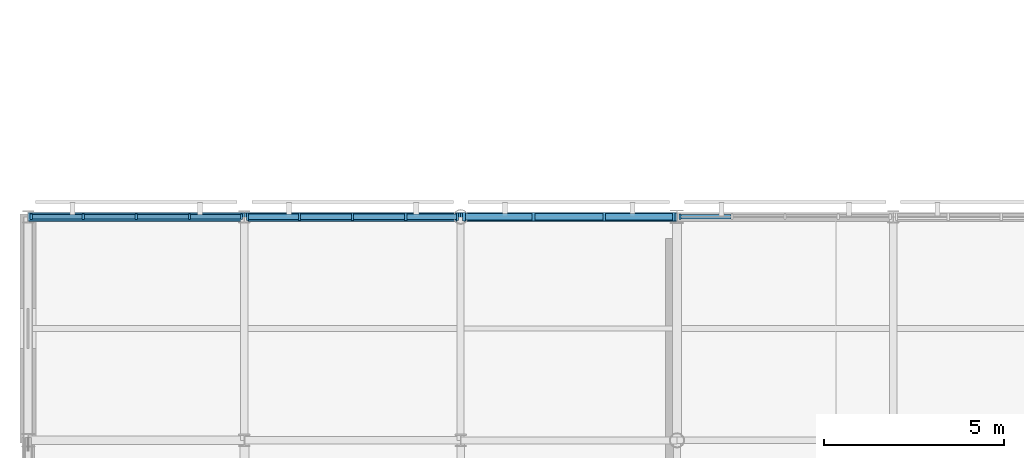
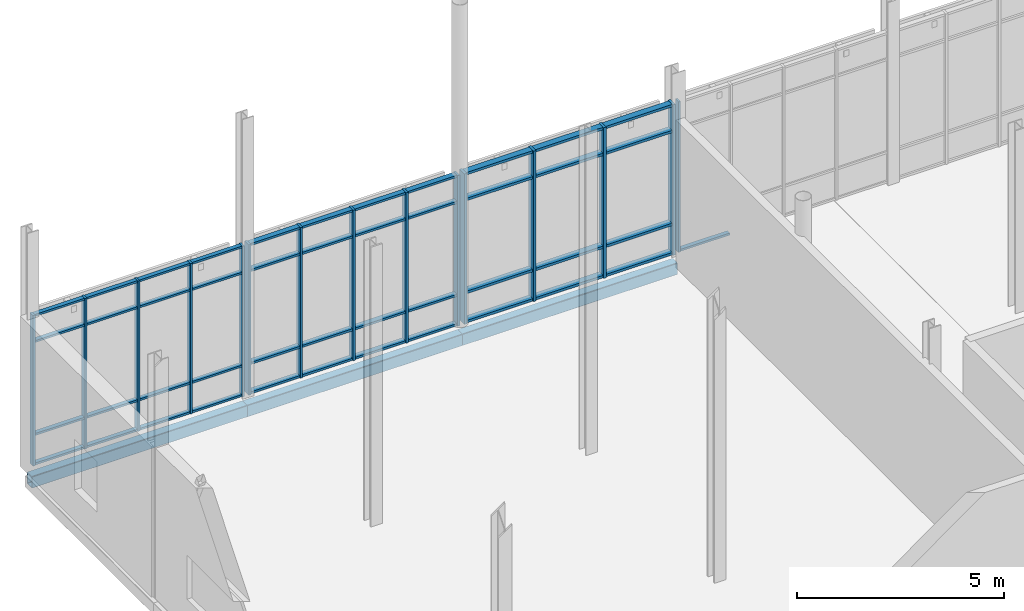
# One storey, part 34 of 105: 60 members, 3 beams, 4 elements without a shape of their own.
"""IFC4 building model written with IfcOpenShell, lengths in metres."""

from ifc_helpers import new_model, si_unit, direction, frame, origin, origin_2d, place, context, subcontext, project, spatial, rectangle, hollow_rectangle, extrude, material, layer, layer_set, material_profile, profile_set, type_object, element, aggregate, save


model = new_model("IFC4")

# Units and contexts
model_context = context("Model", 3, precision=1e-05, world=origin(), true_north=direction((0.0, 1.0)))
body_context = subcontext(model_context, "Body", "Model", "MODEL_VIEW")
ifc_project = project(units=[si_unit("LENGTHUNIT", "METRE"), si_unit("AREAUNIT", "SQUARE_METRE"), si_unit("VOLUMEUNIT", "CUBIC_METRE"), si_unit("PLANEANGLEUNIT", "RADIAN"), si_unit("MASSUNIT", "GRAM", prefix="KILO")], contexts=[model_context])

# Site, building, storey
site_placement = place(None, origin())
site = spatial("IfcSite", under=ifc_project, at=site_placement, CompositionType="ELEMENT")
building_placement = place(site_placement, origin())
building = spatial("IfcBuilding", under=site, at=building_placement, Name="Mirzam Square Science Centre", CompositionType="ELEMENT")
storey_placement = place(building_placement, frame((0.0, 0.0, 5.39990234375)))
storey = spatial("IfcBuildingStorey", under=building, at=storey_placement, Name="L01", CompositionType="ELEMENT", Elevation=5.39990234375)

# Curtain wall, members
ifc_material_1 = material(Name="Anodised Aluminium and Low-E Solar Glass", Category="aluminium")
ifc_layer_1 = layer(ifc_material_1, 0.159912109375)
ifc_layer_set_1 = layer_set([ifc_layer_1], Name="CW-COURT-B")
curtain_wall_type_1 = type_object("IfcCurtainWallType", Name="CW-COURT-B", PredefinedType="USERDEFINED", material=ifc_layer_set_1)
curtain_wall_1_placement = place(storey_placement, origin())
curtain_wall_1 = element("IfcCurtainWall", 1, at=curtain_wall_1_placement, inside=storey, type_object=curtain_wall_type_1, Name="L01 unitised curtain wall 9", ObjectType="UNITISED CURTAIN WALL", PredefinedType="USERDEFINED")
ifc_material_2 = material(Name="Anodised Architectural Aluminium 6063-T6", Category="aluminium")
ifc_material_profile_1 = material_profile(ifc_material_2, rectangle(XDim=0.06005859375, YDim=0.159912109375, at=origin_2d()), Name="ALU-MULL-160x60x4")
ifc_profile_set_1 = profile_set([ifc_material_profile_1], Name="Anodised Architectural Aluminium 6063-T6")
member_type_1 = type_object("IfcMemberType", Name="CWM-160", PredefinedType="MULLION", material=ifc_profile_set_1)
member_1_placement = place(storey_placement, frame((5.9150390625, 80.60009765625, 0.0), z_axis=(0.0, 0.0, 1.0), x_axis=(-1.0, 0.0, 0.0)))
member_1 = element("IfcMember", 2, at=member_1_placement, type_object=member_type_1, Name="CW-04 mullion 1", PredefinedType="MULLION", context=body_context, shape_type="SweptSolid", body=[
    extrude(rectangle(XDim=0.06005859375, YDim=0.159912109375, at=origin_2d()), origin(), (0.0, 0.0, 1.0), 4.440185546875),
])
member_2_placement = place(storey_placement, frame((4.472412109375, 80.60009765625, 0.0), z_axis=(0.0, 0.0, 1.0), x_axis=(-1.0, 0.0, 0.0)))
member_2 = element("IfcMember", 3, at=member_2_placement, type_object=member_type_1, Name="CW-04 mullion 2", PredefinedType="MULLION", context=body_context, shape_type="SweptSolid", body=[
    extrude(rectangle(XDim=0.06005859375, YDim=0.159912109375, at=origin_2d()), origin(), (0.0, 0.0, 1.0), 4.440185546875),
])
member_3_placement = place(storey_placement, frame((3.0, 80.60009765625, 0.0), z_axis=(0.0, 0.0, 1.0), x_axis=(-1.0, 0.0, 0.0)))
member_3 = element("IfcMember", 4, at=member_3_placement, type_object=member_type_1, Name="CW-04 mullion 3", PredefinedType="MULLION", context=body_context, shape_type="SweptSolid", body=[
    extrude(rectangle(XDim=0.06005859375, YDim=0.159912109375, at=origin_2d()), origin(), (0.0, 0.0, 1.0), 4.440185546875),
])
member_4_placement = place(storey_placement, frame((1.527587890625, 80.60009765625, 0.0), z_axis=(0.0, 0.0, 1.0), x_axis=(-1.0, 0.0, 0.0)))
member_4 = element("IfcMember", 5, at=member_4_placement, type_object=member_type_1, Name="CW-04 mullion 4", PredefinedType="MULLION", context=body_context, shape_type="SweptSolid", body=[
    extrude(rectangle(XDim=0.06005859375, YDim=0.159912109375, at=origin_2d()), origin(), (0.0, 0.0, 1.0), 4.440185546875),
])
member_5_placement = place(storey_placement, frame((0.0849609375, 80.60009765625, 0.0), z_axis=(0.0, 0.0, 1.0), x_axis=(-1.0, 0.0, 0.0)))
member_5 = element("IfcMember", 6, at=member_5_placement, type_object=member_type_1, Name="CW-04 mullion 5", PredefinedType="MULLION", context=body_context, shape_type="SweptSolid", body=[
    extrude(rectangle(XDim=0.06005859375, YDim=0.159912109375, at=origin_2d()), origin(), (0.0, 0.0, 1.0), 4.440185546875),
])

# Curtain wall, member
ifc_layer_2 = layer(ifc_material_1, 0.219970703125)
ifc_layer_set_2 = layer_set([ifc_layer_2], Name="CW-OBS-A")
curtain_wall_type_2 = type_object("IfcCurtainWallType", Name="CW-OBS-A", PredefinedType="USERDEFINED", material=ifc_layer_set_2)
curtain_wall_2_placement = place(storey_placement, origin())
curtain_wall_2 = element("IfcCurtainWall", 7, at=curtain_wall_2_placement, inside=storey, type_object=curtain_wall_type_2, Name="L01 unitised curtain wall 12", ObjectType="UNITISED CURTAIN WALL", PredefinedType="USERDEFINED")
member_6_placement = place(storey_placement, frame((18.0849609375, 80.60009765625, 0.0), z_axis=(0.0, 0.0, 1.0), x_axis=(-1.0, 0.0, 0.0)))
member_6 = element("IfcMember", 8, at=member_6_placement, type_object=member_type_1, Name="CW-07 mullion 5", PredefinedType="MULLION", context=body_context, shape_type="SweptSolid", body=[
    extrude(rectangle(XDim=0.06005859375, YDim=0.159912109375, at=origin_2d()), origin(), (0.0, 0.0, 1.0), 4.440185546875),
])

# Curtain wall, members
ifc_layer_3 = layer(ifc_material_1, 0.199951171875)
ifc_layer_set_3 = layer_set([ifc_layer_3], Name="CW-EAST-A")
curtain_wall_type_3 = type_object("IfcCurtainWallType", Name="CW-EAST-A", PredefinedType="USERDEFINED", material=ifc_layer_set_3)
curtain_wall_3_placement = place(storey_placement, origin())
curtain_wall_3 = element("IfcCurtainWall", 9, at=curtain_wall_3_placement, inside=storey, type_object=curtain_wall_type_3, Name="L01 unitised curtain wall 10", ObjectType="UNITISED CURTAIN WALL", PredefinedType="USERDEFINED")
ifc_material_profile_2 = material_profile(ifc_material_2, rectangle(XDim=0.06494140625, YDim=0.199951171875, at=origin_2d()), Name="ALU-MULL-200x65x5")
ifc_profile_set_2 = profile_set([ifc_material_profile_2], Name="Anodised Architectural Aluminium 6063-T6")
member_type_2 = type_object("IfcMemberType", Name="CWM-200", PredefinedType="MULLION", material=ifc_profile_set_2)
member_7_placement = place(storey_placement, frame((11.91259765625, 80.60009765625, 0.0), z_axis=(0.0, 0.0, 1.0), x_axis=(-1.0, 0.0, 0.0)))
member_7 = element("IfcMember", 10, at=member_7_placement, type_object=member_type_2, Name="CW-05 mullion 1", PredefinedType="MULLION", context=body_context, shape_type="SweptSolid", body=[
    extrude(rectangle(XDim=0.06494140625, YDim=0.199951171875, at=origin_2d()), origin(), (0.0, 0.0, 1.0), 4.440185546875),
])
member_8_placement = place(storey_placement, frame((10.472412109375, 80.60009765625, 0.0), z_axis=(0.0, 0.0, 1.0), x_axis=(-1.0, 0.0, 0.0)))
member_8 = element("IfcMember", 11, at=member_8_placement, type_object=member_type_2, Name="CW-05 mullion 2", PredefinedType="MULLION", context=body_context, shape_type="SweptSolid", body=[
    extrude(rectangle(XDim=0.06494140625, YDim=0.199951171875, at=origin_2d()), origin(), (0.0, 0.0, 1.0), 4.440185546875),
])
member_9_placement = place(storey_placement, frame((9.0, 80.60009765625, 0.0), z_axis=(0.0, 0.0, 1.0), x_axis=(-1.0, 0.0, 0.0)))
member_9 = element("IfcMember", 12, at=member_9_placement, type_object=member_type_2, Name="CW-05 mullion 3", PredefinedType="MULLION", context=body_context, shape_type="SweptSolid", body=[
    extrude(rectangle(XDim=0.06494140625, YDim=0.199951171875, at=origin_2d()), origin(), (0.0, 0.0, 1.0), 4.440185546875),
])
member_10_placement = place(storey_placement, frame((7.527587890625, 80.60009765625, 0.0), z_axis=(0.0, 0.0, 1.0), x_axis=(-1.0, 0.0, 0.0)))
member_10 = element("IfcMember", 13, at=member_10_placement, type_object=member_type_2, Name="CW-05 mullion 4", PredefinedType="MULLION", context=body_context, shape_type="SweptSolid", body=[
    extrude(rectangle(XDim=0.06494140625, YDim=0.199951171875, at=origin_2d()), origin(), (0.0, 0.0, 1.0), 4.440185546875),
])
member_11_placement = place(storey_placement, frame((6.08740234375, 80.60009765625, 0.0), z_axis=(0.0, 0.0, 1.0), x_axis=(-1.0, 0.0, 0.0)))
member_11 = element("IfcMember", 14, at=member_11_placement, type_object=member_type_2, Name="CW-05 mullion 5", PredefinedType="MULLION", context=body_context, shape_type="SweptSolid", body=[
    extrude(rectangle(XDim=0.06494140625, YDim=0.199951171875, at=origin_2d()), origin(), (0.0, 0.0, 1.0), 4.440185546875),
])

ifc_layer_4 = layer(ifc_material_1, 0.239990234375)
ifc_layer_set_4 = layer_set([ifc_layer_4], Name="CW-EAST-B")
curtain_wall_type_4 = type_object("IfcCurtainWallType", Name="CW-EAST-B", PredefinedType="USERDEFINED", material=ifc_layer_set_4)
curtain_wall_4_placement = place(storey_placement, origin())
curtain_wall_4 = element("IfcCurtainWall", 15, at=curtain_wall_4_placement, inside=storey, type_object=curtain_wall_type_4, Name="L01 unitised curtain wall 11", ObjectType="UNITISED CURTAIN WALL", PredefinedType="USERDEFINED")
ifc_material_profile_3 = material_profile(ifc_material_2, rectangle(XDim=0.074951171875, YDim=0.239990234375, at=origin_2d()), Name="ALU-MULL-240x75x5")
ifc_profile_set_3 = profile_set([ifc_material_profile_3], Name="Anodised Architectural Aluminium 6063-T6")
member_type_3 = type_object("IfcMemberType", Name="CWM-240", PredefinedType="MULLION", material=ifc_profile_set_3)
member_12_placement = place(storey_placement, frame((17.907470703125, 80.60009765625, 0.0), z_axis=(0.0, 0.0, 1.0), x_axis=(-1.0, 0.0, 0.0)))
member_12 = element("IfcMember", 16, at=member_12_placement, type_object=member_type_3, Name="CW-06 mullion 1", PredefinedType="MULLION", context=body_context, shape_type="SweptSolid", body=[
    extrude(rectangle(XDim=0.074951171875, YDim=0.239990234375, at=origin_2d()), origin(), (0.0, 0.0, 1.0), 4.440185546875),
])
member_13_placement = place(storey_placement, frame((15.981689453125, 80.60009765625, 0.0), z_axis=(0.0, 0.0, 1.0), x_axis=(-1.0, 0.0, 0.0)))
member_13 = element("IfcMember", 17, at=member_13_placement, type_object=member_type_3, Name="CW-06 mullion 2", PredefinedType="MULLION", context=body_context, shape_type="SweptSolid", body=[
    extrude(rectangle(XDim=0.074951171875, YDim=0.239990234375, at=origin_2d()), origin(), (0.0, 0.0, 1.0), 4.440185546875),
])
member_14_placement = place(storey_placement, frame((14.018310546875, 80.60009765625, 0.0), z_axis=(0.0, 0.0, 1.0), x_axis=(-1.0, 0.0, 0.0)))
member_14 = element("IfcMember", 18, at=member_14_placement, type_object=member_type_3, Name="CW-06 mullion 3", PredefinedType="MULLION", context=body_context, shape_type="SweptSolid", body=[
    extrude(rectangle(XDim=0.074951171875, YDim=0.239990234375, at=origin_2d()), origin(), (0.0, 0.0, 1.0), 4.440185546875),
])
member_15_placement = place(storey_placement, frame((12.092529296875, 80.60009765625, 0.0), z_axis=(0.0, 0.0, 1.0), x_axis=(-1.0, 0.0, 0.0)))
member_15 = element("IfcMember", 19, at=member_15_placement, type_object=member_type_3, Name="CW-06 mullion 4", PredefinedType="MULLION", context=body_context, shape_type="SweptSolid", body=[
    extrude(rectangle(XDim=0.074951171875, YDim=0.239990234375, at=origin_2d()), origin(), (0.0, 0.0, 1.0), 4.440185546875),
])

# Member
ifc_material_profile_4 = material_profile(ifc_material_2, rectangle(XDim=0.1201171875, YDim=0.06005859375, at=origin_2d()), Name="ALU-TRAN-120x60x4")
ifc_profile_set_4 = profile_set([ifc_material_profile_4], Name="Anodised Architectural Aluminium 6063-T6")
member_type_4 = type_object("IfcMemberType", Name="CWT-120", PredefinedType="USERDEFINED", material=ifc_profile_set_4)
member_16_placement = place(storey_placement, frame((5.885009765625, 80.60009765625, 0.030029296875), z_axis=(-1.0, 0.0, 0.0), x_axis=(0.0, -1.0, 0.0)))
member_16 = element("IfcMember", 20, at=member_16_placement, type_object=member_type_4, Name="CW-04 transom 1.1", ObjectType="TRANSOM", PredefinedType="USERDEFINED", context=body_context, shape_type="SweptSolid", body=[
    extrude(rectangle(XDim=0.1201171875, YDim=0.06005859375, at=origin_2d()), origin(), (0.0, 0.0, 1.0), 1.382568359375),
])

member_17_placement = place(storey_placement, frame((5.885009765625, 80.60009765625, 0.900146484375), z_axis=(-1.0, 0.0, 0.0), x_axis=(0.0, -1.0, 0.0)))
member_17 = element("IfcMember", 21, at=member_17_placement, type_object=member_type_4, Name="CW-04 transom 1.2", ObjectType="TRANSOM", PredefinedType="USERDEFINED", context=body_context, shape_type="SweptSolid", body=[
    extrude(rectangle(XDim=0.1201171875, YDim=0.06005859375, at=origin_2d()), origin(), (0.0, 0.0, 1.0), 1.382568359375),
])

member_18_placement = place(storey_placement, frame((5.885009765625, 80.60009765625, 3.64013671875), z_axis=(-1.0, 0.0, 0.0), x_axis=(0.0, -1.0, 0.0)))
member_18 = element("IfcMember", 22, at=member_18_placement, type_object=member_type_4, Name="CW-04 transom 1.3", ObjectType="TRANSOM", PredefinedType="USERDEFINED", context=body_context, shape_type="SweptSolid", body=[
    extrude(rectangle(XDim=0.1201171875, YDim=0.06005859375, at=origin_2d()), origin(), (0.0, 0.0, 1.0), 1.382568359375),
])

member_19_placement = place(storey_placement, frame((5.885009765625, 80.60009765625, 4.41015625), z_axis=(-1.0, 0.0, 0.0), x_axis=(0.0, -1.0, 0.0)))
member_19 = element("IfcMember", 23, at=member_19_placement, type_object=member_type_4, Name="CW-04 transom 1.4", ObjectType="TRANSOM", PredefinedType="USERDEFINED", context=body_context, shape_type="SweptSolid", body=[
    extrude(rectangle(XDim=0.1201171875, YDim=0.06005859375, at=origin_2d()), origin(), (0.0, 0.0, 1.0), 1.382568359375),
])

member_20_placement = place(storey_placement, frame((4.4423828125, 80.60009765625, 0.030029296875), z_axis=(-1.0, 0.0, 0.0), x_axis=(0.0, -1.0, 0.0)))
member_20 = element("IfcMember", 24, at=member_20_placement, type_object=member_type_4, Name="CW-04 transom 2.1", ObjectType="TRANSOM", PredefinedType="USERDEFINED", context=body_context, shape_type="SweptSolid", body=[
    extrude(rectangle(XDim=0.1201171875, YDim=0.06005859375, at=origin_2d()), origin(), (0.0, 0.0, 1.0), 1.412353515625),
])

member_21_placement = place(storey_placement, frame((4.4423828125, 80.60009765625, 0.900146484375), z_axis=(-1.0, 0.0, 0.0), x_axis=(0.0, -1.0, 0.0)))
member_21 = element("IfcMember", 25, at=member_21_placement, type_object=member_type_4, Name="CW-04 transom 2.2", ObjectType="TRANSOM", PredefinedType="USERDEFINED", context=body_context, shape_type="SweptSolid", body=[
    extrude(rectangle(XDim=0.1201171875, YDim=0.06005859375, at=origin_2d()), origin(), (0.0, 0.0, 1.0), 1.412353515625),
])

member_22_placement = place(storey_placement, frame((4.4423828125, 80.60009765625, 3.64013671875), z_axis=(-1.0, 0.0, 0.0), x_axis=(0.0, -1.0, 0.0)))
member_22 = element("IfcMember", 26, at=member_22_placement, type_object=member_type_4, Name="CW-04 transom 2.3", ObjectType="TRANSOM", PredefinedType="USERDEFINED", context=body_context, shape_type="SweptSolid", body=[
    extrude(rectangle(XDim=0.1201171875, YDim=0.06005859375, at=origin_2d()), origin(), (0.0, 0.0, 1.0), 1.412353515625),
])

member_23_placement = place(storey_placement, frame((4.4423828125, 80.60009765625, 4.41015625), z_axis=(-1.0, 0.0, 0.0), x_axis=(0.0, -1.0, 0.0)))
member_23 = element("IfcMember", 27, at=member_23_placement, type_object=member_type_4, Name="CW-04 transom 2.4", ObjectType="TRANSOM", PredefinedType="USERDEFINED", context=body_context, shape_type="SweptSolid", body=[
    extrude(rectangle(XDim=0.1201171875, YDim=0.06005859375, at=origin_2d()), origin(), (0.0, 0.0, 1.0), 1.412353515625),
])

member_24_placement = place(storey_placement, frame((2.969970703125, 80.60009765625, 0.030029296875), z_axis=(-1.0, 0.0, 0.0), x_axis=(0.0, -1.0, 0.0)))
member_24 = element("IfcMember", 28, at=member_24_placement, type_object=member_type_4, Name="CW-04 transom 3.1", ObjectType="TRANSOM", PredefinedType="USERDEFINED", context=body_context, shape_type="SweptSolid", body=[
    extrude(rectangle(XDim=0.1201171875, YDim=0.06005859375, at=origin_2d()), origin(), (0.0, 0.0, 1.0), 1.412353515625),
])

member_25_placement = place(storey_placement, frame((2.969970703125, 80.60009765625, 0.900146484375), z_axis=(-1.0, 0.0, 0.0), x_axis=(0.0, -1.0, 0.0)))
member_25 = element("IfcMember", 29, at=member_25_placement, type_object=member_type_4, Name="CW-04 transom 3.2", ObjectType="TRANSOM", PredefinedType="USERDEFINED", context=body_context, shape_type="SweptSolid", body=[
    extrude(rectangle(XDim=0.1201171875, YDim=0.06005859375, at=origin_2d()), origin(), (0.0, 0.0, 1.0), 1.412353515625),
])

member_26_placement = place(storey_placement, frame((2.969970703125, 80.60009765625, 3.64013671875), z_axis=(-1.0, 0.0, 0.0), x_axis=(0.0, -1.0, 0.0)))
member_26 = element("IfcMember", 30, at=member_26_placement, type_object=member_type_4, Name="CW-04 transom 3.3", ObjectType="TRANSOM", PredefinedType="USERDEFINED", context=body_context, shape_type="SweptSolid", body=[
    extrude(rectangle(XDim=0.1201171875, YDim=0.06005859375, at=origin_2d()), origin(), (0.0, 0.0, 1.0), 1.412353515625),
])

member_27_placement = place(storey_placement, frame((2.969970703125, 80.60009765625, 4.41015625), z_axis=(-1.0, 0.0, 0.0), x_axis=(0.0, -1.0, 0.0)))
member_27 = element("IfcMember", 31, at=member_27_placement, type_object=member_type_4, Name="CW-04 transom 3.4", ObjectType="TRANSOM", PredefinedType="USERDEFINED", context=body_context, shape_type="SweptSolid", body=[
    extrude(rectangle(XDim=0.1201171875, YDim=0.06005859375, at=origin_2d()), origin(), (0.0, 0.0, 1.0), 1.412353515625),
])

member_28_placement = place(storey_placement, frame((1.49755859375, 80.60009765625, 0.030029296875), z_axis=(-1.0, 0.0, 0.0), x_axis=(0.0, -1.0, 0.0)))
member_28 = element("IfcMember", 32, at=member_28_placement, type_object=member_type_4, Name="CW-04 transom 4.1", ObjectType="TRANSOM", PredefinedType="USERDEFINED", context=body_context, shape_type="SweptSolid", body=[
    extrude(rectangle(XDim=0.1201171875, YDim=0.06005859375, at=origin_2d()), origin(), (0.0, 0.0, 1.0), 1.382568359375),
])

member_29_placement = place(storey_placement, frame((1.49755859375, 80.60009765625, 0.900146484375), z_axis=(-1.0, 0.0, 0.0), x_axis=(0.0, -1.0, 0.0)))
member_29 = element("IfcMember", 33, at=member_29_placement, type_object=member_type_4, Name="CW-04 transom 4.2", ObjectType="TRANSOM", PredefinedType="USERDEFINED", context=body_context, shape_type="SweptSolid", body=[
    extrude(rectangle(XDim=0.1201171875, YDim=0.06005859375, at=origin_2d()), origin(), (0.0, 0.0, 1.0), 1.382568359375),
])

member_30_placement = place(storey_placement, frame((1.49755859375, 80.60009765625, 3.64013671875), z_axis=(-1.0, 0.0, 0.0), x_axis=(0.0, -1.0, 0.0)))
member_30 = element("IfcMember", 34, at=member_30_placement, type_object=member_type_4, Name="CW-04 transom 4.3", ObjectType="TRANSOM", PredefinedType="USERDEFINED", context=body_context, shape_type="SweptSolid", body=[
    extrude(rectangle(XDim=0.1201171875, YDim=0.06005859375, at=origin_2d()), origin(), (0.0, 0.0, 1.0), 1.382568359375),
])

member_31_placement = place(storey_placement, frame((1.49755859375, 80.60009765625, 4.41015625), z_axis=(-1.0, 0.0, 0.0), x_axis=(0.0, -1.0, 0.0)))
member_31 = element("IfcMember", 35, at=member_31_placement, type_object=member_type_4, Name="CW-04 transom 4.4", ObjectType="TRANSOM", PredefinedType="USERDEFINED", context=body_context, shape_type="SweptSolid", body=[
    extrude(rectangle(XDim=0.1201171875, YDim=0.06005859375, at=origin_2d()), origin(), (0.0, 0.0, 1.0), 1.382568359375),
])

aggregate(curtain_wall_1, [member_1, member_2, member_3, member_4, member_5, member_16, member_17, member_18, member_19, member_20, member_21, member_22, member_23, member_24, member_25, member_26, member_27, member_28, member_29, member_30, member_31])

member_32_placement = place(storey_placement, frame((19.49755859375, 80.60009765625, 0.030029296875), z_axis=(-1.0, 0.0, 0.0), x_axis=(0.0, -1.0, 0.0)))
member_32 = element("IfcMember", 36, at=member_32_placement, type_object=member_type_4, Name="CW-07 transom 4.1", ObjectType="TRANSOM", PredefinedType="USERDEFINED", context=body_context, shape_type="SweptSolid", body=[
    extrude(rectangle(XDim=0.1201171875, YDim=0.06005859375, at=origin_2d()), origin(), (0.0, 0.0, 1.0), 1.382568359375),
])

aggregate(curtain_wall_2, [member_6, member_32])

ifc_material_profile_5 = material_profile(ifc_material_2, rectangle(XDim=0.14990234375, YDim=0.06494140625, at=origin_2d()), Name="ALU-TRAN-150x65x4")
ifc_profile_set_5 = profile_set([ifc_material_profile_5], Name="Anodised Architectural Aluminium 6063-T6")
member_type_5 = type_object("IfcMemberType", Name="CWT-150", PredefinedType="USERDEFINED", material=ifc_profile_set_5)
member_33_placement = place(storey_placement, frame((11.8798828125, 80.60009765625, 0.03271484375), z_axis=(-1.0, 0.0, 0.0), x_axis=(0.0, -1.0, 0.0)))
member_33 = element("IfcMember", 37, at=member_33_placement, type_object=member_type_5, Name="CW-05 transom 1.1", ObjectType="TRANSOM", PredefinedType="USERDEFINED", context=body_context, shape_type="SweptSolid", body=[
    extrude(rectangle(XDim=0.14990234375, YDim=0.06494140625, at=origin_2d()), origin(), (0.0, 0.0, 1.0), 1.375),
])

member_34_placement = place(storey_placement, frame((11.8798828125, 80.60009765625, 0.900146484375), z_axis=(-1.0, 0.0, 0.0), x_axis=(0.0, -1.0, 0.0)))
member_34 = element("IfcMember", 38, at=member_34_placement, type_object=member_type_5, Name="CW-05 transom 1.2", ObjectType="TRANSOM", PredefinedType="USERDEFINED", context=body_context, shape_type="SweptSolid", body=[
    extrude(rectangle(XDim=0.14990234375, YDim=0.06494140625, at=origin_2d()), origin(), (0.0, 0.0, 1.0), 1.375),
])

member_35_placement = place(storey_placement, frame((11.8798828125, 80.60009765625, 3.64013671875), z_axis=(-1.0, 0.0, 0.0), x_axis=(0.0, -1.0, 0.0)))
member_35 = element("IfcMember", 39, at=member_35_placement, type_object=member_type_5, Name="CW-05 transom 1.3", ObjectType="TRANSOM", PredefinedType="USERDEFINED", context=body_context, shape_type="SweptSolid", body=[
    extrude(rectangle(XDim=0.14990234375, YDim=0.06494140625, at=origin_2d()), origin(), (0.0, 0.0, 1.0), 1.375),
])

member_36_placement = place(storey_placement, frame((11.8798828125, 80.60009765625, 4.40771484375), z_axis=(-1.0, 0.0, 0.0), x_axis=(0.0, -1.0, 0.0)))
member_36 = element("IfcMember", 40, at=member_36_placement, type_object=member_type_5, Name="CW-05 transom 1.4", ObjectType="TRANSOM", PredefinedType="USERDEFINED", context=body_context, shape_type="SweptSolid", body=[
    extrude(rectangle(XDim=0.14990234375, YDim=0.06494140625, at=origin_2d()), origin(), (0.0, 0.0, 1.0), 1.375),
])

member_37_placement = place(storey_placement, frame((10.43994140625, 80.60009765625, 0.03271484375), z_axis=(-1.0, 0.0, 0.0), x_axis=(0.0, -1.0, 0.0)))
member_37 = element("IfcMember", 41, at=member_37_placement, type_object=member_type_5, Name="CW-05 transom 2.1", ObjectType="TRANSOM", PredefinedType="USERDEFINED", context=body_context, shape_type="SweptSolid", body=[
    extrude(rectangle(XDim=0.14990234375, YDim=0.06494140625, at=origin_2d()), origin(), (0.0, 0.0, 1.0), 1.407470703125),
])

member_38_placement = place(storey_placement, frame((10.43994140625, 80.60009765625, 0.900146484375), z_axis=(-1.0, 0.0, 0.0), x_axis=(0.0, -1.0, 0.0)))
member_38 = element("IfcMember", 42, at=member_38_placement, type_object=member_type_5, Name="CW-05 transom 2.2", ObjectType="TRANSOM", PredefinedType="USERDEFINED", context=body_context, shape_type="SweptSolid", body=[
    extrude(rectangle(XDim=0.14990234375, YDim=0.06494140625, at=origin_2d()), origin(), (0.0, 0.0, 1.0), 1.407470703125),
])

member_39_placement = place(storey_placement, frame((10.43994140625, 80.60009765625, 3.64013671875), z_axis=(-1.0, 0.0, 0.0), x_axis=(0.0, -1.0, 0.0)))
member_39 = element("IfcMember", 43, at=member_39_placement, type_object=member_type_5, Name="CW-05 transom 2.3", ObjectType="TRANSOM", PredefinedType="USERDEFINED", context=body_context, shape_type="SweptSolid", body=[
    extrude(rectangle(XDim=0.14990234375, YDim=0.06494140625, at=origin_2d()), origin(), (0.0, 0.0, 1.0), 1.407470703125),
])

member_40_placement = place(storey_placement, frame((10.43994140625, 80.60009765625, 4.40771484375), z_axis=(-1.0, 0.0, 0.0), x_axis=(0.0, -1.0, 0.0)))
member_40 = element("IfcMember", 44, at=member_40_placement, type_object=member_type_5, Name="CW-05 transom 2.4", ObjectType="TRANSOM", PredefinedType="USERDEFINED", context=body_context, shape_type="SweptSolid", body=[
    extrude(rectangle(XDim=0.14990234375, YDim=0.06494140625, at=origin_2d()), origin(), (0.0, 0.0, 1.0), 1.407470703125),
])

member_41_placement = place(storey_placement, frame((8.967529296875, 80.60009765625, 0.03271484375), z_axis=(-1.0, 0.0, 0.0), x_axis=(0.0, -1.0, 0.0)))
member_41 = element("IfcMember", 45, at=member_41_placement, type_object=member_type_5, Name="CW-05 transom 3.1", ObjectType="TRANSOM", PredefinedType="USERDEFINED", context=body_context, shape_type="SweptSolid", body=[
    extrude(rectangle(XDim=0.14990234375, YDim=0.06494140625, at=origin_2d()), origin(), (0.0, 0.0, 1.0), 1.407470703125),
])

member_42_placement = place(storey_placement, frame((8.967529296875, 80.60009765625, 0.900146484375), z_axis=(-1.0, 0.0, 0.0), x_axis=(0.0, -1.0, 0.0)))
member_42 = element("IfcMember", 46, at=member_42_placement, type_object=member_type_5, Name="CW-05 transom 3.2", ObjectType="TRANSOM", PredefinedType="USERDEFINED", context=body_context, shape_type="SweptSolid", body=[
    extrude(rectangle(XDim=0.14990234375, YDim=0.06494140625, at=origin_2d()), origin(), (0.0, 0.0, 1.0), 1.407470703125),
])

member_43_placement = place(storey_placement, frame((8.967529296875, 80.60009765625, 3.64013671875), z_axis=(-1.0, 0.0, 0.0), x_axis=(0.0, -1.0, 0.0)))
member_43 = element("IfcMember", 47, at=member_43_placement, type_object=member_type_5, Name="CW-05 transom 3.3", ObjectType="TRANSOM", PredefinedType="USERDEFINED", context=body_context, shape_type="SweptSolid", body=[
    extrude(rectangle(XDim=0.14990234375, YDim=0.06494140625, at=origin_2d()), origin(), (0.0, 0.0, 1.0), 1.407470703125),
])

member_44_placement = place(storey_placement, frame((8.967529296875, 80.60009765625, 4.40771484375), z_axis=(-1.0, 0.0, 0.0), x_axis=(0.0, -1.0, 0.0)))
member_44 = element("IfcMember", 48, at=member_44_placement, type_object=member_type_5, Name="CW-05 transom 3.4", ObjectType="TRANSOM", PredefinedType="USERDEFINED", context=body_context, shape_type="SweptSolid", body=[
    extrude(rectangle(XDim=0.14990234375, YDim=0.06494140625, at=origin_2d()), origin(), (0.0, 0.0, 1.0), 1.407470703125),
])

member_45_placement = place(storey_placement, frame((7.4951171875, 80.60009765625, 0.03271484375), z_axis=(-1.0, 0.0, 0.0), x_axis=(0.0, -1.0, 0.0)))
member_45 = element("IfcMember", 49, at=member_45_placement, type_object=member_type_5, Name="CW-05 transom 4.1", ObjectType="TRANSOM", PredefinedType="USERDEFINED", context=body_context, shape_type="SweptSolid", body=[
    extrude(rectangle(XDim=0.14990234375, YDim=0.06494140625, at=origin_2d()), origin(), (0.0, 0.0, 1.0), 1.375),
])

member_46_placement = place(storey_placement, frame((7.4951171875, 80.60009765625, 0.900146484375), z_axis=(-1.0, 0.0, 0.0), x_axis=(0.0, -1.0, 0.0)))
member_46 = element("IfcMember", 50, at=member_46_placement, type_object=member_type_5, Name="CW-05 transom 4.2", ObjectType="TRANSOM", PredefinedType="USERDEFINED", context=body_context, shape_type="SweptSolid", body=[
    extrude(rectangle(XDim=0.14990234375, YDim=0.06494140625, at=origin_2d()), origin(), (0.0, 0.0, 1.0), 1.375),
])

member_47_placement = place(storey_placement, frame((7.4951171875, 80.60009765625, 3.64013671875), z_axis=(-1.0, 0.0, 0.0), x_axis=(0.0, -1.0, 0.0)))
member_47 = element("IfcMember", 51, at=member_47_placement, type_object=member_type_5, Name="CW-05 transom 4.3", ObjectType="TRANSOM", PredefinedType="USERDEFINED", context=body_context, shape_type="SweptSolid", body=[
    extrude(rectangle(XDim=0.14990234375, YDim=0.06494140625, at=origin_2d()), origin(), (0.0, 0.0, 1.0), 1.375),
])

member_48_placement = place(storey_placement, frame((7.4951171875, 80.60009765625, 4.40771484375), z_axis=(-1.0, 0.0, 0.0), x_axis=(0.0, -1.0, 0.0)))
member_48 = element("IfcMember", 52, at=member_48_placement, type_object=member_type_5, Name="CW-05 transom 4.4", ObjectType="TRANSOM", PredefinedType="USERDEFINED", context=body_context, shape_type="SweptSolid", body=[
    extrude(rectangle(XDim=0.14990234375, YDim=0.06494140625, at=origin_2d()), origin(), (0.0, 0.0, 1.0), 1.375),
])

aggregate(curtain_wall_3, [member_7, member_8, member_9, member_10, member_11, member_33, member_34, member_35, member_36, member_37, member_38, member_39, member_40, member_41, member_42, member_43, member_44, member_45, member_46, member_47, member_48])

ifc_material_profile_6 = material_profile(ifc_material_2, rectangle(XDim=0.179931640625, YDim=0.074951171875, at=origin_2d()), Name="ALU-TRAN-180x75x5")
ifc_profile_set_6 = profile_set([ifc_material_profile_6], Name="Anodised Architectural Aluminium 6063-T6")
member_type_6 = type_object("IfcMemberType", Name="CWT-180", PredefinedType="USERDEFINED", material=ifc_profile_set_6)
member_49_placement = place(storey_placement, frame((17.8701171875, 80.60009765625, 0.03759765625), z_axis=(-1.0, 0.0, 0.0), x_axis=(0.0, -1.0, 0.0)))
member_49 = element("IfcMember", 53, at=member_49_placement, type_object=member_type_6, Name="CW-06 transom 1.1", ObjectType="TRANSOM", PredefinedType="USERDEFINED", context=body_context, shape_type="SweptSolid", body=[
    extrude(rectangle(XDim=0.179931640625, YDim=0.074951171875, at=origin_2d()), origin(), (0.0, 0.0, 1.0), 1.850830078125),
])

member_50_placement = place(storey_placement, frame((17.8701171875, 80.60009765625, 0.900146484375), z_axis=(-1.0, 0.0, 0.0), x_axis=(0.0, -1.0, 0.0)))
member_50 = element("IfcMember", 54, at=member_50_placement, type_object=member_type_6, Name="CW-06 transom 1.2", ObjectType="TRANSOM", PredefinedType="USERDEFINED", context=body_context, shape_type="SweptSolid", body=[
    extrude(rectangle(XDim=0.179931640625, YDim=0.074951171875, at=origin_2d()), origin(), (0.0, 0.0, 1.0), 1.850830078125),
])

member_51_placement = place(storey_placement, frame((17.8701171875, 80.60009765625, 3.64013671875), z_axis=(-1.0, 0.0, 0.0), x_axis=(0.0, -1.0, 0.0)))
member_51 = element("IfcMember", 55, at=member_51_placement, type_object=member_type_6, Name="CW-06 transom 1.3", ObjectType="TRANSOM", PredefinedType="USERDEFINED", context=body_context, shape_type="SweptSolid", body=[
    extrude(rectangle(XDim=0.179931640625, YDim=0.074951171875, at=origin_2d()), origin(), (0.0, 0.0, 1.0), 1.850830078125),
])

member_52_placement = place(storey_placement, frame((17.8701171875, 80.60009765625, 4.402587890625), z_axis=(-1.0, 0.0, 0.0), x_axis=(0.0, -1.0, 0.0)))
member_52 = element("IfcMember", 56, at=member_52_placement, type_object=member_type_6, Name="CW-06 transom 1.4", ObjectType="TRANSOM", PredefinedType="USERDEFINED", context=body_context, shape_type="SweptSolid", body=[
    extrude(rectangle(XDim=0.179931640625, YDim=0.074951171875, at=origin_2d()), origin(), (0.0, 0.0, 1.0), 1.850830078125),
])

member_53_placement = place(storey_placement, frame((15.944091796875, 80.60009765625, 0.03759765625), z_axis=(-1.0, 0.0, 0.0), x_axis=(0.0, -1.0, 0.0)))
member_53 = element("IfcMember", 57, at=member_53_placement, type_object=member_type_6, Name="CW-06 transom 2.1", ObjectType="TRANSOM", PredefinedType="USERDEFINED", context=body_context, shape_type="SweptSolid", body=[
    extrude(rectangle(XDim=0.179931640625, YDim=0.074951171875, at=origin_2d()), origin(), (0.0, 0.0, 1.0), 1.88818359375),
])

member_54_placement = place(storey_placement, frame((15.944091796875, 80.60009765625, 0.900146484375), z_axis=(-1.0, 0.0, 0.0), x_axis=(0.0, -1.0, 0.0)))
member_54 = element("IfcMember", 58, at=member_54_placement, type_object=member_type_6, Name="CW-06 transom 2.2", ObjectType="TRANSOM", PredefinedType="USERDEFINED", context=body_context, shape_type="SweptSolid", body=[
    extrude(rectangle(XDim=0.179931640625, YDim=0.074951171875, at=origin_2d()), origin(), (0.0, 0.0, 1.0), 1.88818359375),
])

member_55_placement = place(storey_placement, frame((15.944091796875, 80.60009765625, 3.64013671875), z_axis=(-1.0, 0.0, 0.0), x_axis=(0.0, -1.0, 0.0)))
member_55 = element("IfcMember", 59, at=member_55_placement, type_object=member_type_6, Name="CW-06 transom 2.3", ObjectType="TRANSOM", PredefinedType="USERDEFINED", context=body_context, shape_type="SweptSolid", body=[
    extrude(rectangle(XDim=0.179931640625, YDim=0.074951171875, at=origin_2d()), origin(), (0.0, 0.0, 1.0), 1.88818359375),
])

member_56_placement = place(storey_placement, frame((15.944091796875, 80.60009765625, 4.402587890625), z_axis=(-1.0, 0.0, 0.0), x_axis=(0.0, -1.0, 0.0)))
member_56 = element("IfcMember", 60, at=member_56_placement, type_object=member_type_6, Name="CW-06 transom 2.4", ObjectType="TRANSOM", PredefinedType="USERDEFINED", context=body_context, shape_type="SweptSolid", body=[
    extrude(rectangle(XDim=0.179931640625, YDim=0.074951171875, at=origin_2d()), origin(), (0.0, 0.0, 1.0), 1.88818359375),
])

member_57_placement = place(storey_placement, frame((13.980712890625, 80.60009765625, 0.03759765625), z_axis=(-1.0, 0.0, 0.0), x_axis=(0.0, -1.0, 0.0)))
member_57 = element("IfcMember", 61, at=member_57_placement, type_object=member_type_6, Name="CW-06 transom 3.1", ObjectType="TRANSOM", PredefinedType="USERDEFINED", context=body_context, shape_type="SweptSolid", body=[
    extrude(rectangle(XDim=0.179931640625, YDim=0.074951171875, at=origin_2d()), origin(), (0.0, 0.0, 1.0), 1.850830078125),
])

member_58_placement = place(storey_placement, frame((13.980712890625, 80.60009765625, 0.900146484375), z_axis=(-1.0, 0.0, 0.0), x_axis=(0.0, -1.0, 0.0)))
member_58 = element("IfcMember", 62, at=member_58_placement, type_object=member_type_6, Name="CW-06 transom 3.2", ObjectType="TRANSOM", PredefinedType="USERDEFINED", context=body_context, shape_type="SweptSolid", body=[
    extrude(rectangle(XDim=0.179931640625, YDim=0.074951171875, at=origin_2d()), origin(), (0.0, 0.0, 1.0), 1.850830078125),
])

member_59_placement = place(storey_placement, frame((13.980712890625, 80.60009765625, 3.64013671875), z_axis=(-1.0, 0.0, 0.0), x_axis=(0.0, -1.0, 0.0)))
member_59 = element("IfcMember", 63, at=member_59_placement, type_object=member_type_6, Name="CW-06 transom 3.3", ObjectType="TRANSOM", PredefinedType="USERDEFINED", context=body_context, shape_type="SweptSolid", body=[
    extrude(rectangle(XDim=0.179931640625, YDim=0.074951171875, at=origin_2d()), origin(), (0.0, 0.0, 1.0), 1.850830078125),
])

member_60_placement = place(storey_placement, frame((13.980712890625, 80.60009765625, 4.402587890625), z_axis=(-1.0, 0.0, 0.0), x_axis=(0.0, -1.0, 0.0)))
member_60 = element("IfcMember", 64, at=member_60_placement, type_object=member_type_6, Name="CW-06 transom 3.4", ObjectType="TRANSOM", PredefinedType="USERDEFINED", context=body_context, shape_type="SweptSolid", body=[
    extrude(rectangle(XDim=0.179931640625, YDim=0.074951171875, at=origin_2d()), origin(), (0.0, 0.0, 1.0), 1.850830078125),
])

aggregate(curtain_wall_4, [member_12, member_13, member_14, member_15, member_49, member_50, member_51, member_52, member_53, member_54, member_55, member_56, member_57, member_58, member_59, member_60])

# Beams
ifc_material_3 = material(Name="Steel S355", Category="steel")
ifc_material_profile_7 = material_profile(ifc_material_3, hollow_rectangle(XDim=0.25, YDim=0.35009765625, WallThickness=0.012451171875, InnerFilletRadius=0.012451171875, OuterFilletRadius=0.02490234375, at=origin_2d()), Name="350x250x12.5RHS")
ifc_profile_set_7 = profile_set([ifc_material_profile_7], Name="Steel S355")
beam_type = type_object("IfcBeamType", Name="SP-RHS350", PredefinedType="SPANDREL", material=ifc_profile_set_7)
for number, where, z_axis, x_axis, name in (
    (65, (0.0, 80.60009765625, -0.434814453125), (1.0, 0.0, 0.0), (0.0, 1.0, 0.0), "L01 girder X1-14"),
    (66, (6.0, 80.60009765625, -0.434814453125), (1.0, 0.0, 0.0), (0.0, 1.0, 0.0), "L01 girder X2-14"),
    (67, (12.0, 80.60009765625, -0.434814453125), (1.0, 0.0, 0.0), (0.0, 1.0, 0.0), "L01 girder X3-14"),
):
    element("IfcBeam", number, at=place(storey_placement, frame(where, z_axis=z_axis, x_axis=x_axis)), inside=storey, type_object=beam_type, Name=name, PredefinedType="SPANDREL", context=body_context, shape_type="SweptSolid", body=[
        extrude(hollow_rectangle(XDim=0.25, YDim=0.35009765625, WallThickness=0.012451171875, InnerFilletRadius=0.012451171875, OuterFilletRadius=0.02490234375, at=origin_2d()), origin(), (0.0, 0.0, 1.0), 6.0),
    ])

save(model, "model.ifc")
